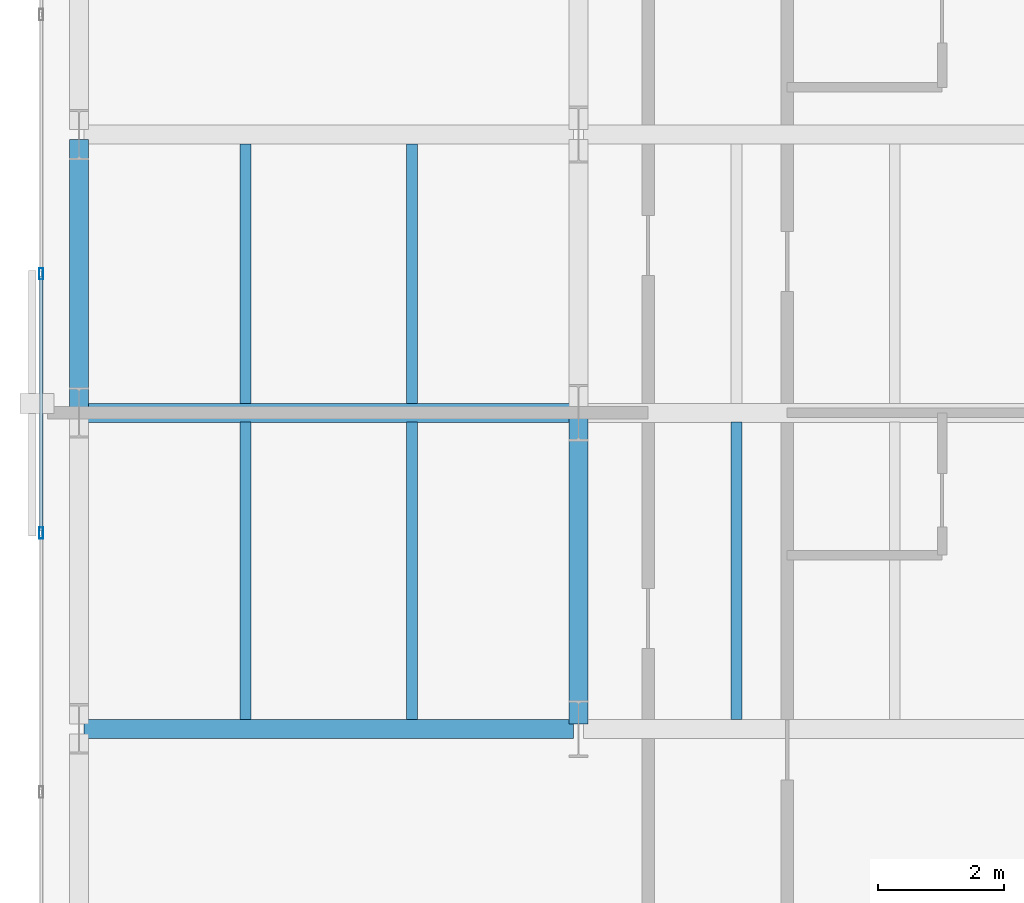
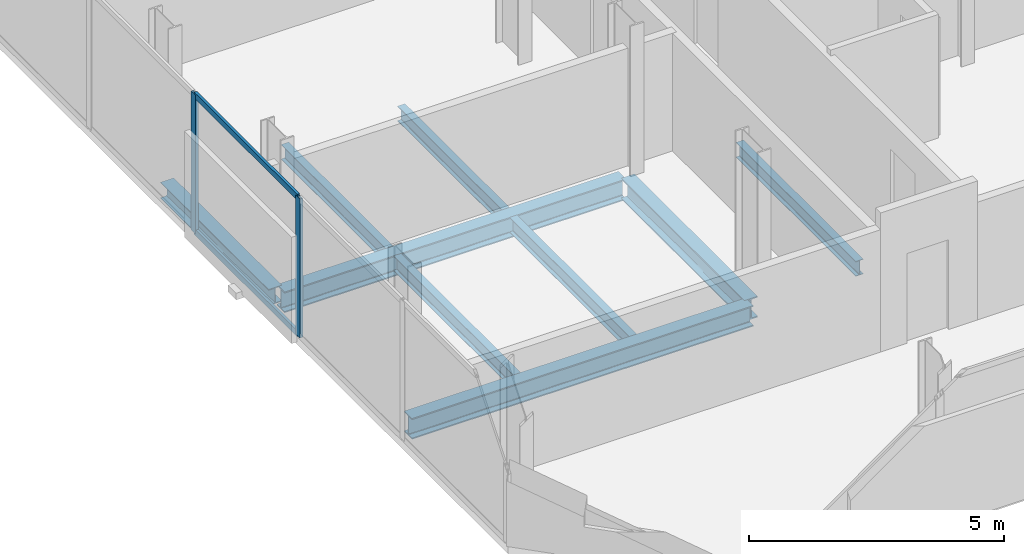
# One storey, part 5 of 33: 9 beams, 4 members, 1 element without a shape of its own.
"""IFC4 building model written with IfcOpenShell, lengths in metres."""

from ifc_helpers import new_model, si_unit, direction, frame, origin, origin_2d, place, context, subcontext, project, spatial, hollow_rectangle, i_section, extrude, material, layer, layer_set, material_profile, profile_set, type_object, element, aggregate, save


model = new_model("IFC4")

# Units and contexts
model_context = context("Model", 3, precision=1e-05, world=origin(), true_north=direction((0.0, 1.0)))
body_context = subcontext(model_context, "Body", "Model", "MODEL_VIEW")
ifc_project = project(units=[si_unit("LENGTHUNIT", "METRE"), si_unit("AREAUNIT", "SQUARE_METRE"), si_unit("VOLUMEUNIT", "CUBIC_METRE"), si_unit("PLANEANGLEUNIT", "RADIAN"), si_unit("MASSUNIT", "GRAM", prefix="KILO")], contexts=[model_context])

# Site, building, storey
site_placement = place(None, origin())
site = spatial("IfcSite", under=ifc_project, at=site_placement, CompositionType="ELEMENT")
building_placement = place(site_placement, origin())
building = spatial("IfcBuilding", under=site, at=building_placement, Name="Catumbela Crestline Tower", CompositionType="ELEMENT")
storey_placement = place(building_placement, frame((0.0, 0.0, 58.2)))
storey = spatial("IfcBuildingStorey", under=building, at=storey_placement, Name="L14", CompositionType="ELEMENT", Elevation=58.2)

# Beams
ifc_material_1 = material(Name="Structural steel S355J2", Category="steel")
ifc_material_profile_1 = material_profile(ifc_material_1, i_section(OverallWidth=0.3, OverallDepth=0.5, WebThickness=0.0145, FlangeThickness=0.028, FilletRadius=0.027, at=origin_2d()), Name="HEB 500")
ifc_profile_set_1 = profile_set([ifc_material_profile_1], Name="Structural steel S355J2")
beam_type_1 = type_object("IfcBeamType", Name="BG-HEB500", PredefinedType="BEAM", material=ifc_profile_set_1)
for number, where, z_axis, x_axis, name in (
    (1, (0.68, 8.6, -0.51), (1.0, 0.0, 0.0), (0.0, 1.0, 0.0), "L14 Beam BM-L14-WEW48"),
    (2, (0.68, 13.6, -0.51), (1.0, 0.0, 0.0), (0.0, 1.0, 0.0), "L14 Beam BM-L14-WEW51"),
):
    element("IfcBeam", number, at=place(storey_placement, frame(where, z_axis=z_axis, x_axis=x_axis)), inside=storey, type_object=beam_type_1, Name=name, PredefinedType="BEAM", context=body_context, shape_type="SweptSolid", body=[
        extrude(i_section(OverallWidth=0.3, OverallDepth=0.5, WebThickness=0.0145, FlangeThickness=0.028, FilletRadius=0.027, at=origin_2d()), origin(), (0.0, 0.0, 1.0), 7.74),
    ])
beam_1_placement = place(storey_placement, frame((8.5, 8.68, -0.51), z_axis=(0.0, 1.0, 0.0), x_axis=(-1.0, 0.0, 0.0)))
element("IfcBeam", 3, at=beam_1_placement, inside=storey, type_object=beam_type_1, Name="L14 Beam BM-L14-WNS61", PredefinedType="BEAM", context=body_context, shape_type="SweptSolid", body=[
    extrude(i_section(OverallWidth=0.3, OverallDepth=0.5, WebThickness=0.0145, FlangeThickness=0.028, FilletRadius=0.027, at=origin_2d()), origin(), (0.0, 0.0, 1.0), 4.84),
])
ifc_material_profile_2 = material_profile(ifc_material_1, i_section(OverallWidth=0.17, OverallDepth=0.36, WebThickness=0.008, FlangeThickness=0.0127, FilletRadius=0.018, at=origin_2d()), Name="IPE 360")
ifc_profile_set_2 = profile_set([ifc_material_profile_2], Name="Structural steel S355J2")
beam_type_2 = type_object("IfcBeamType", Name="BJ-IPE360", PredefinedType="JOIST", material=ifc_profile_set_2)
for number, where, z_axis, x_axis, name in (
    (4, (3.233, 8.747, -0.44), (0.0, 1.0, 0.0), (-1.0, 0.0, 0.0), "L14 Joist JS-L14-WG70"),
    (5, (5.867, 8.747, -0.44), (0.0, 1.0, 0.0), (-1.0, 0.0, 0.0), "L14 Joist JS-L14-WG71"),
    (6, (11.0, 8.747, -0.44), (0.0, 1.0, 0.0), (-1.0, 0.0, 0.0), "L14 Joist JS-L14-WG72"),
):
    element("IfcBeam", number, at=place(storey_placement, frame(where, z_axis=z_axis, x_axis=x_axis)), inside=storey, type_object=beam_type_2, Name=name, PredefinedType="JOIST", context=body_context, shape_type="SweptSolid", body=[
        extrude(i_section(OverallWidth=0.17, OverallDepth=0.36, WebThickness=0.008, FlangeThickness=0.0127, FilletRadius=0.018, at=origin_2d()), origin(), (0.0, 0.0, 1.0), 4.706),
    ])
for number, where, z_axis, x_axis, name in (
    (7, (3.233, 13.747, -0.44), (0.0, 1.0, 0.0), (-1.0, 0.0, 0.0), "L14 Joist JS-L14-WG76"),
    (8, (5.867, 13.747, -0.44), (0.0, 1.0, 0.0), (-1.0, 0.0, 0.0), "L14 Joist JS-L14-WG77"),
):
    element("IfcBeam", number, at=place(storey_placement, frame(where, z_axis=z_axis, x_axis=x_axis)), inside=storey, type_object=beam_type_2, Name=name, PredefinedType="JOIST", context=body_context, shape_type="SweptSolid", body=[
        extrude(i_section(OverallWidth=0.17, OverallDepth=0.36, WebThickness=0.008, FlangeThickness=0.0127, FilletRadius=0.018, at=origin_2d()), origin(), (0.0, 0.0, 1.0), 4.106),
    ])

# Curtain wall, members
ifc_material_2 = material(Name="Aluminium alloy AW-6060-T66", Category="aluminium")
ifc_layer = layer(ifc_material_2, 0.18, Name="Aluminium alloy AW-6060-T66")
ifc_layer_set = layer_set([ifc_layer], Name="Aluminium alloy AW-6060-T66")
curtain_wall_type = type_object("IfcCurtainWallType", Name="CWU-Z1", PredefinedType="USERDEFINED", material=ifc_layer_set)
curtain_wall_placement = place(storey_placement, origin())
curtain_wall = element("IfcCurtainWall", 9, at=curtain_wall_placement, inside=storey, type_object=curtain_wall_type, Name="L14 Unitised Curtain Wall CW-L14-E9S1", ObjectType="UNITISED", PredefinedType="USERDEFINED")
ifc_material_profile_3 = material_profile(ifc_material_2, hollow_rectangle(XDim=0.065, YDim=0.18, WallThickness=0.004, at=origin_2d()), Name="ALU 180x65x4")
ifc_profile_set_3 = profile_set([ifc_material_profile_3], Name="Aluminium alloy AW-6060-T66")
member_type_1 = type_object("IfcMemberType", Name="MUL-180X65", PredefinedType="MULLION", material=ifc_profile_set_3)
member_1_placement = place(storey_placement, frame((0.0, 15.8, 0.0), z_axis=(0.0, 0.0, 1.0), x_axis=(1.0, 0.0, 0.0)))
member_1 = element("IfcMember", 10, at=member_1_placement, type_object=member_type_1, Name="CWU-Z1 mullion 8", PredefinedType="MULLION", context=body_context, shape_type="SweptSolid", body=[
    extrude(hollow_rectangle(XDim=0.065, YDim=0.18, WallThickness=0.004, at=origin_2d()), origin(), (0.0, 0.0, 1.0), 3.33),
])
member_2_placement = place(storey_placement, frame((0.0, 11.7, 0.0), z_axis=(0.0, 0.0, 1.0), x_axis=(1.0, 0.0, 0.0)))
member_2 = element("IfcMember", 11, at=member_2_placement, type_object=member_type_1, Name="CWU-Z1 mullion 9", PredefinedType="MULLION", context=body_context, shape_type="SweptSolid", body=[
    extrude(hollow_rectangle(XDim=0.065, YDim=0.18, WallThickness=0.004, at=origin_2d()), origin(), (0.0, 0.0, 1.0), 3.33),
])

# Beam
ifc_material_profile_4 = material_profile(ifc_material_1, i_section(OverallWidth=0.3, OverallDepth=0.39, WebThickness=0.011, FlangeThickness=0.019, FilletRadius=0.027, at=origin_2d()), Name="HEA 400")
ifc_profile_set_4 = profile_set([ifc_material_profile_4], Name="Structural steel S355J2")
beam_type_3 = type_object("IfcBeamType", Name="BS-HEA400", PredefinedType="SPANDREL", material=ifc_profile_set_4)
beam_2_placement = place(storey_placement, frame((0.6, 13.68, -0.455), z_axis=(0.0, 1.0, 0.0), x_axis=(-1.0, 0.0, 0.0)))
element("IfcBeam", 12, at=beam_2_placement, inside=storey, type_object=beam_type_3, Name="L14 Spandrel SP-L14-WNS59", PredefinedType="SPANDREL", context=body_context, shape_type="SweptSolid", body=[
    extrude(i_section(OverallWidth=0.3, OverallDepth=0.39, WebThickness=0.011, FlangeThickness=0.019, FilletRadius=0.027, at=origin_2d()), origin(), (0.0, 0.0, 1.0), 4.24),
])

# Member
ifc_material_profile_5 = material_profile(ifc_material_2, hollow_rectangle(XDim=0.06, YDim=0.14, WallThickness=0.004, at=origin_2d()), Name="ALU 140x60x4")
ifc_profile_set_5 = profile_set([ifc_material_profile_5], Name="Aluminium alloy AW-6060-T66")
member_type_2 = type_object("IfcMemberType", Name="TRN-140X60", PredefinedType="USERDEFINED", material=ifc_profile_set_5)
member_3_placement = place(storey_placement, frame((0.0, 15.7675, 0.03), z_axis=(0.0, -1.0, 0.0), x_axis=(1.0, 0.0, 0.0)))
member_3 = element("IfcMember", 13, at=member_3_placement, type_object=member_type_2, Name="CWU-Z1 transom 8.1", ObjectType="TRANSOM", PredefinedType="USERDEFINED", context=body_context, shape_type="SweptSolid", body=[
    extrude(hollow_rectangle(XDim=0.06, YDim=0.14, WallThickness=0.004, at=origin_2d()), origin(), (0.0, 0.0, 1.0), 4.035),
])

member_4_placement = place(storey_placement, frame((0.0, 15.7675, 3.3), z_axis=(0.0, -1.0, 0.0), x_axis=(1.0, 0.0, 0.0)))
member_4 = element("IfcMember", 14, at=member_4_placement, type_object=member_type_2, Name="CWU-Z1 transom 8.2", ObjectType="TRANSOM", PredefinedType="USERDEFINED", context=body_context, shape_type="SweptSolid", body=[
    extrude(hollow_rectangle(XDim=0.06, YDim=0.14, WallThickness=0.004, at=origin_2d()), origin(), (0.0, 0.0, 1.0), 4.035),
])

aggregate(curtain_wall, [member_1, member_2, member_3, member_4])

save(model, "model.ifc")
